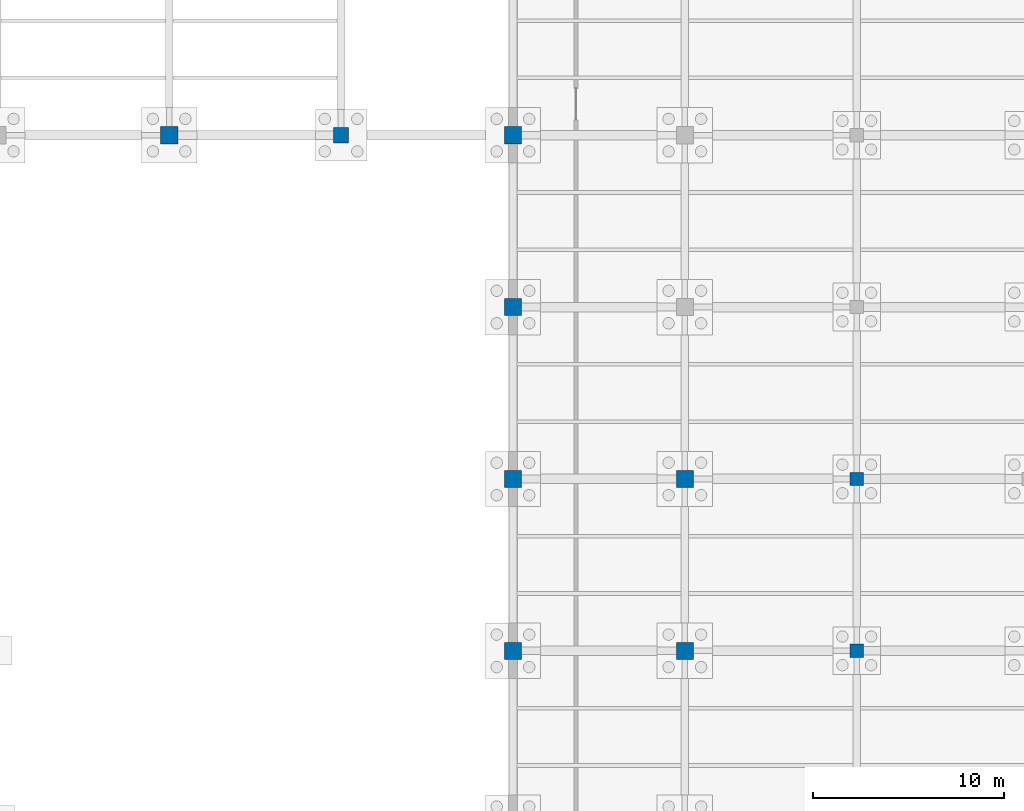
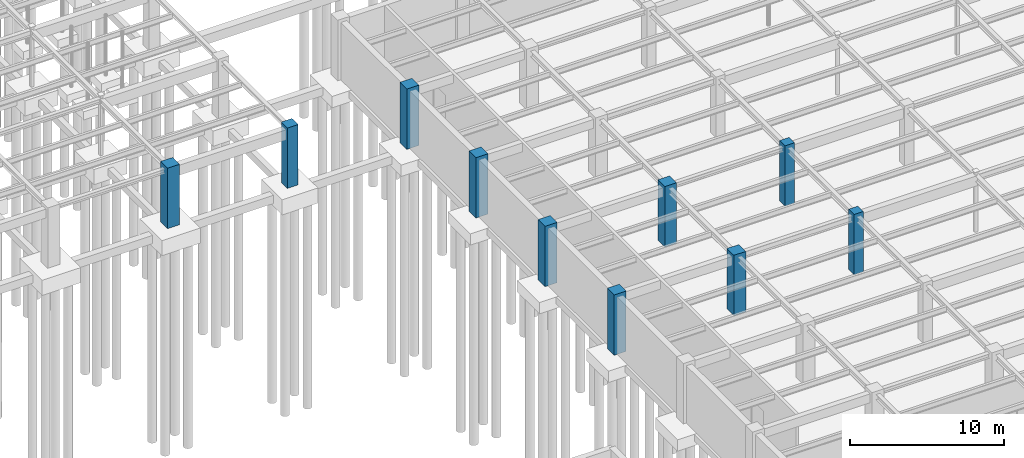
# One storey, part 18 of 49: 10 columns.
"""IFC4 building model written with IfcOpenShell, lengths in metres."""

from ifc_helpers import new_model, si_unit, direction, frame, origin, origin_2d, place, context, subcontext, project, spatial, rectangle, extrude, material, material_profile, profile_set, type_object, element, save


model = new_model("IFC4")

# Units and contexts
model_context = context("Model", 3, precision=1e-05, world=origin(), true_north=direction((0.0, 1.0)))
body_context = subcontext(model_context, "Body", "Model", "MODEL_VIEW")
ifc_project = project(units=[si_unit("LENGTHUNIT", "METRE"), si_unit("AREAUNIT", "SQUARE_METRE"), si_unit("VOLUMEUNIT", "CUBIC_METRE"), si_unit("PLANEANGLEUNIT", "RADIAN"), si_unit("MASSUNIT", "GRAM", prefix="KILO")], contexts=[model_context])

# Site, building, storey
site_placement = place(None, origin())
site = spatial("IfcSite", under=ifc_project, at=site_placement, CompositionType="ELEMENT")
building_placement = place(site_placement, origin())
building = spatial("IfcBuilding", under=site, at=building_placement, Name="Lykobir Media Centre", CompositionType="ELEMENT")
storey_placement = place(building_placement, frame((0.0, 0.0, -4.800048828125)))
storey = spatial("IfcBuildingStorey", under=building, at=storey_placement, Name="B1", CompositionType="ELEMENT", Elevation=-4.800048828125)

# Columns
ifc_material = material(Name="Concrete C40/50", Category="concrete")
ifc_material_profile_1 = material_profile(ifc_material, rectangle(XDim=0.699951171875, YDim=0.699951171875, at=origin_2d()), Name="RC 700x700")
ifc_profile_set_1 = profile_set([ifc_material_profile_1], Name="Concrete C40/50")
column_type_1 = type_object("IfcColumnType", Name="RC-C700", PredefinedType="COLUMN", material=ifc_profile_set_1)
for number, where, z_axis, x_axis, name in (
    (1, (108.0, 36.0, 0.0), (0.0, 0.0, 1.0), (1.0, 0.0, 0.0), "Column COL-B1-1080-0360"),
    (2, (108.0, 45.0, 0.0), (0.0, 0.0, 1.0), (1.0, 0.0, 0.0), "Column COL-B1-1080-0450"),
):
    element("IfcColumn", number, at=place(storey_placement, frame(where, z_axis=z_axis, x_axis=x_axis)), inside=storey, type_object=column_type_1, Name=name, PredefinedType="COLUMN", context=body_context, shape_type="SweptSolid", body=[
        extrude(rectangle(XDim=0.699951171875, YDim=0.699951171875, at=origin_2d()), origin(), (0.0, 0.0, 1.0), 4.800048828125),
    ])
ifc_material_profile_2 = material_profile(ifc_material, rectangle(XDim=0.800048828125, YDim=0.800048828125, at=origin_2d()), Name="RC 800x800")
ifc_profile_set_2 = profile_set([ifc_material_profile_2], Name="Concrete C40/50")
column_type_2 = type_object("IfcColumnType", Name="RC-C800-E", PredefinedType="COLUMN", material=ifc_profile_set_2)
column_placement = place(storey_placement, frame((81.0, 63.0, 0.0), z_axis=(0.0, 0.0, 1.0), x_axis=(1.0, 0.0, 0.0)))
element("IfcColumn", 3, at=column_placement, inside=storey, type_object=column_type_2, Name="Column COL-B1-0810-0630", PredefinedType="COLUMN", context=body_context, shape_type="SweptSolid", body=[
    extrude(rectangle(XDim=0.800048828125, YDim=0.800048828125, at=origin_2d()), origin(), (0.0, 0.0, 1.0), 4.800048828125),
])
ifc_material_profile_3 = material_profile(ifc_material, rectangle(XDim=0.89990234375, YDim=0.89990234375, at=origin_2d()), Name="RC 900x900")
ifc_profile_set_3 = profile_set([ifc_material_profile_3], Name="Concrete C40/50")
column_type_3 = type_object("IfcColumnType", Name="RC-C900", PredefinedType="COLUMN", material=ifc_profile_set_3)
for number, where, z_axis, x_axis, name in (
    (4, (72.0, 63.0, 0.0), (0.0, 0.0, 1.0), (1.0, 0.0, 0.0), "Column COL-B1-0720-0630"),
    (5, (99.0, 36.0, 0.0), (0.0, 0.0, 1.0), (1.0, 0.0, 0.0), "Column COL-B1-0990-0360"),
    (6, (99.0, 45.0, 0.0), (0.0, 0.0, 1.0), (1.0, 0.0, 0.0), "Column COL-B1-0990-0450"),
):
    element("IfcColumn", number, at=place(storey_placement, frame(where, z_axis=z_axis, x_axis=x_axis)), inside=storey, type_object=column_type_3, Name=name, PredefinedType="COLUMN", context=body_context, shape_type="SweptSolid", body=[
        extrude(rectangle(XDim=0.89990234375, YDim=0.89990234375, at=origin_2d()), origin(), (0.0, 0.0, 1.0), 4.800048828125),
    ])
ifc_material_profile_4 = material_profile(ifc_material, rectangle(XDim=0.89990234375, YDim=0.89990234375, at=origin_2d()), Name="RC 900x900")
ifc_profile_set_4 = profile_set([ifc_material_profile_4], Name="Concrete C40/50")
column_type_4 = type_object("IfcColumnType", Name="RC-C900-E", PredefinedType="COLUMN", material=ifc_profile_set_4)
for number, where, z_axis, x_axis, name in (
    (7, (90.0, 36.0, 0.0), (0.0, 0.0, 1.0), (1.0, 0.0, 0.0), "Column COL-B1-0900-0360"),
    (8, (90.0, 45.0, 0.0), (0.0, 0.0, 1.0), (1.0, 0.0, 0.0), "Column COL-B1-0900-0450"),
    (9, (90.0, 54.0, 0.0), (0.0, 0.0, 1.0), (1.0, 0.0, 0.0), "Column COL-B1-0900-0540"),
    (10, (90.0, 63.0, 0.0), (0.0, 0.0, 1.0), (1.0, 0.0, 0.0), "Column COL-B1-0900-0630"),
):
    element("IfcColumn", number, at=place(storey_placement, frame(where, z_axis=z_axis, x_axis=x_axis)), inside=storey, type_object=column_type_4, Name=name, PredefinedType="COLUMN", context=body_context, shape_type="SweptSolid", body=[
        extrude(rectangle(XDim=0.89990234375, YDim=0.89990234375, at=origin_2d()), origin(), (0.0, 0.0, 1.0), 4.800048828125),
    ])

save(model, "model.ifc")
